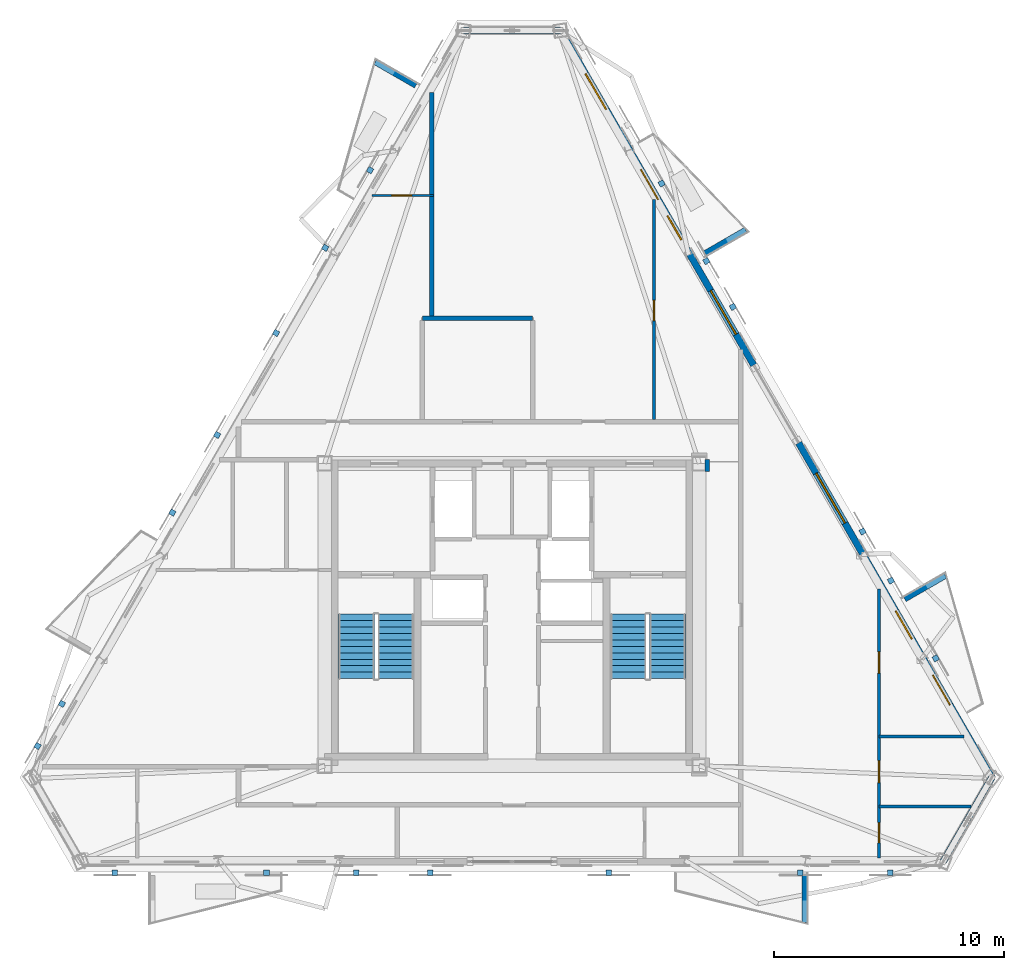
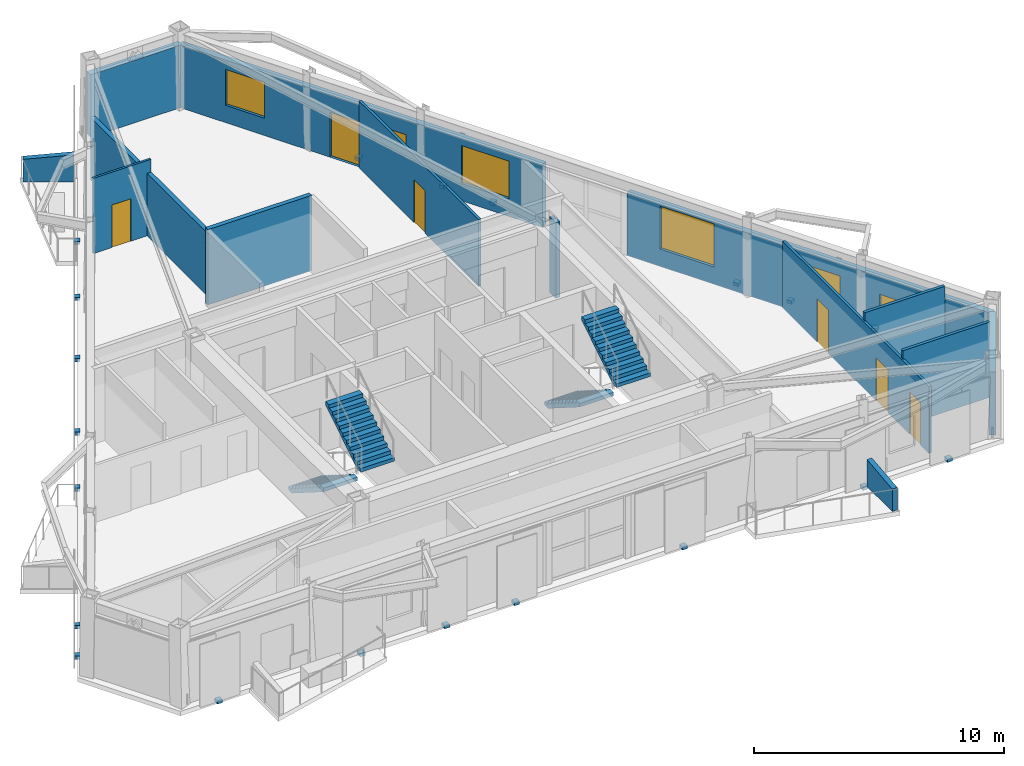
# One storey, part 10 of 15: 20 discrete accessories, 16 walls, 7 doors, 5 windows, 4 stair flights, 12 openings, 2 elements without a shape of their own.
"""IFC4 building model written with IfcOpenShell, lengths in metres."""

from ifc_helpers import new_model, si_unit, direction, frame, frame_2d, origin, origin_2d, place, context, subcontext, project, spatial, polyline, rectangle, outline, extrude, material, layer, layer_set, type_object, element, fill, aggregate, save


model = new_model("IFC4")

# Units and contexts
model_context = context("Model", 3, precision=1e-05, world=origin(), true_north=direction((0.0, 1.0)))
body_context = subcontext(model_context, "Body", "Model", "MODEL_VIEW")
ifc_project = project(units=[si_unit("LENGTHUNIT", "METRE"), si_unit("AREAUNIT", "SQUARE_METRE"), si_unit("VOLUMEUNIT", "CUBIC_METRE"), si_unit("PLANEANGLEUNIT", "RADIAN"), si_unit("MASSUNIT", "GRAM", prefix="KILO")], contexts=[model_context])

# Site, building, storey
site_placement = place(None, origin())
site = spatial("IfcSite", under=ifc_project, at=site_placement, CompositionType="ELEMENT")
building_placement = place(site_placement, origin())
building = spatial("IfcBuilding", under=site, at=building_placement, Name="Oramaril Tower", CompositionType="ELEMENT")
storey_placement = place(building_placement, frame((0.0, 0.0, 288.89990234375)))
storey = spatial("IfcBuildingStorey", under=building, at=storey_placement, Name="L76", CompositionType="ELEMENT", Elevation=288.89990234375)

# Wall
ifc_material_1 = material(Name="Warm Cream Limestone", Category="masonry")
ifc_layer_1 = layer(ifc_material_1, 0.2900390625)
ifc_layer_set_1 = layer_set([ifc_layer_1], Name="WT-EXT29")
wall_type_1 = type_object("IfcWallType", Name="WT-EXT29", PredefinedType="SOLIDWALL", material=ifc_layer_set_1)
wall_1_placement = place(storey_placement, frame((56.262939453125, 6.827392578125, 0.0), z_axis=(0.0, 0.0, 1.0), x_axis=(0.499954162615, 0.866051866393, 0.0)))
element("IfcWall", 1, at=wall_1_placement, inside=storey, type_object=wall_type_1, Name="L76 Tower Limestone Facade Wall 3M", PredefinedType="SOLIDWALL", context=body_context, shape_type="SweptSolid", body=[
    extrude(rectangle(XDim=4.22607421875, YDim=0.2900390625, at=frame_2d((2.113037109375, 0.0))), origin(), (0.0, 0.0, 1.0), 3.05810546875),
])

# Wall, openings, door, windows
wall_2_placement = place(storey_placement, frame((58.375732421875, 10.4873046875, 0.0), z_axis=(0.0, 0.0, 1.0), x_axis=(-0.499993544909, 0.866029130601, 0.0)))
wall_2 = element("IfcWall", 2, at=wall_2_placement, inside=storey, type_object=wall_type_1, Name="L76 Tower Limestone Facade Wall 4L", PredefinedType="SOLIDWALL", context=body_context, shape_type="SweptSolid", body=[
    extrude(rectangle(XDim=16.812744140625, YDim=0.2900390625, at=frame_2d((8.40625, 0.0))), origin(), (0.0, 0.0, 1.0), 3.05810546875),
])
opening_1_placement = place(wall_2_placement, frame((3.639404296875, 0.0, 0.0)))
opening_1 = element("IfcOpeningElement", 3, at=opening_1_placement, cuts=wall_2, Name="Opening D-L76-BAL-NE1", PredefinedType="OPENING", context=body_context, shape_type="SweptSolid", body=[
    extrude(rectangle(XDim=1.5, YDim=2.199951171875, at=frame_2d((0.75, 1.10009765625))), frame((0.0, 0.14501953125, 0.0), z_axis=(0.0, -1.0, 0.0), x_axis=(1.0, 0.0, 0.0)), (0.0, 0.0, 1.0), 0.2900390625),
])
opening_2_placement = place(wall_2_placement, frame((6.9609375, 0.0, 0.85009765625)))
opening_2 = element("IfcOpeningElement", 4, at=opening_2_placement, cuts=wall_2, Name="Opening WN-08", PredefinedType="OPENING", context=body_context, shape_type="SweptSolid", body=[
    extrude(rectangle(XDim=1.39990234375, YDim=1.60009765625, at=frame_2d((0.699951171875, 0.800048828125))), frame((0.0, 0.14501953125, 0.0), z_axis=(0.0, -1.0, 0.0), x_axis=(1.0, 0.0, 0.0)), (0.0, 0.0, 1.0), 0.2900390625),
])
opening_3_placement = place(wall_2_placement, frame((12.78076171875, 0.0, 0.85009765625)))
opening_3 = element("IfcOpeningElement", 5, at=opening_3_placement, cuts=wall_2, Name="Opening WN-11", PredefinedType="OPENING", context=body_context, shape_type="SweptSolid", body=[
    extrude(rectangle(XDim=2.5, YDim=2.097900390625, at=frame_2d((1.25, 1.048828125))), frame((0.0, 0.14501953125, 0.0), z_axis=(0.0, -1.0, 0.0), x_axis=(1.0, 0.0, 0.0)), (0.0, 0.0, 1.0), 0.2900390625),
])
ifc_material_2 = material(Name="Anodised Aluminium 6063-T6", Category="aluminium")
door_type_1 = type_object("IfcDoorType", Name="DT-BAL", OperationType="NOTDEFINED", PredefinedType="DOOR", material=ifc_material_2)
door_1_placement = place(opening_1_placement, origin())
door_1 = element("IfcDoor", 6, at=door_1_placement, inside=storey, type_object=door_type_1, Name="L76 Balcony Glazed Door L76-BAL-NE1", OperationType="SINGLE_SWING_LEFT", OverallHeight=2.199951171875, OverallWidth=1.5, PredefinedType="DOOR", context=body_context, shape_type="SweptSolid", body=[
    extrude(rectangle(XDim=1.5, YDim=2.199951171875, at=frame_2d((0.75, 1.10009765625))), frame((0.0, 0.02490234375, 0.0), z_axis=(0.0, -1.0, 0.0), x_axis=(1.0, 0.0, 0.0)), (0.0, 0.0, 1.0), 0.050048828125),
])
fill(opening_1, door_1)
ifc_material_3 = material(Name="Coastal Low-E Insulated Glass", Category="glass")
window_type_1 = type_object("IfcWindowType", Name="WNT-08", PartitioningType="SINGLE_PANEL", PredefinedType="WINDOW", material=ifc_material_3)
window_1_placement = place(opening_2_placement, origin())
window_1 = element("IfcWindow", 7, at=window_1_placement, inside=storey, type_object=window_type_1, Name="L76 Chicago Bay Window WN-08", OverallHeight=1.60009765625, OverallWidth=1.39990234375, PartitioningType="SINGLE_PANEL", PredefinedType="WINDOW", context=body_context, shape_type="SweptSolid", body=[
    extrude(rectangle(XDim=1.39990234375, YDim=1.60009765625, at=frame_2d((0.699951171875, 0.800048828125))), frame((0.0, 0.030029296875, 0.0), z_axis=(0.0, -1.0, 0.0), x_axis=(1.0, 0.0, 0.0)), (0.0, 0.0, 1.0), 0.06005859375),
])
fill(opening_2, window_1)
ifc_material_4 = material(Name="Coastal Low-E Insulated Glass", Category="glass")
window_type_2 = type_object("IfcWindowType", Name="WNT-11", PartitioningType="SINGLE_PANEL", PredefinedType="WINDOW", material=ifc_material_4)
window_2_placement = place(opening_3_placement, origin())
window_2 = element("IfcWindow", 8, at=window_2_placement, inside=storey, type_object=window_type_2, Name="L76 Chicago Bay Window WN-11", OverallHeight=2.097900390625, OverallWidth=2.5, PartitioningType="SINGLE_PANEL", PredefinedType="WINDOW", context=body_context, shape_type="SweptSolid", body=[
    extrude(rectangle(XDim=2.5, YDim=2.097900390625, at=frame_2d((1.25, 1.048828125))), frame((0.0, 0.030029296875, 0.0), z_axis=(0.0, -1.0, 0.0), x_axis=(1.0, 0.0, 0.0)), (0.0, 0.0, 1.0), 0.06005859375),
])
fill(opening_3, window_2)

wall_3_placement = place(storey_placement, frame((48.019287109375, 28.425048828125, 0.0), z_axis=(0.0, 0.0, 1.0), x_axis=(-0.49998725717, 0.866032760736, 0.0)))
wall_3 = element("IfcWall", 9, at=wall_3_placement, inside=storey, type_object=wall_type_1, Name="L76 Tower Limestone Facade Wall 4R", PredefinedType="SOLIDWALL", context=body_context, shape_type="SweptSolid", body=[
    extrude(rectangle(XDim=16.81298828125, YDim=0.2900390625, at=frame_2d((8.406494140625, 0.0))), origin(), (0.0, 0.0, 1.0), 3.05810546875),
])
opening_4_placement = place(wall_3_placement, frame((8.328369140625, 0.0, 0.0)))
opening_4 = element("IfcOpeningElement", 10, at=opening_4_placement, cuts=wall_3, Name="Opening D-L76-BAL-NE2", PredefinedType="OPENING", context=body_context, shape_type="SweptSolid", body=[
    extrude(rectangle(XDim=1.5, YDim=2.199951171875, at=frame_2d((0.75, 1.10009765625))), frame((0.0, 0.14501953125, 0.0), z_axis=(0.0, -1.0, 0.0), x_axis=(1.0, 0.0, 0.0)), (0.0, 0.0, 1.0), 0.2900390625),
])
opening_5_placement = place(wall_3_placement, frame((6.303466796875, 0.0, 0.85009765625)))
opening_5 = element("IfcOpeningElement", 11, at=opening_5_placement, cuts=wall_3, Name="Opening WN-09", PredefinedType="OPENING", context=body_context, shape_type="SweptSolid", body=[
    extrude(rectangle(XDim=1.199951171875, YDim=1.47998046875, at=frame_2d((0.60009765625, 0.739990234375))), frame((0.0, 0.14501953125, 0.0), z_axis=(0.0, -1.0, 0.0), x_axis=(1.0, 0.0, 0.0)), (0.0, 0.0, 1.0), 0.2900390625),
])
opening_6_placement = place(wall_3_placement, frame((12.846435546875, 0.0, 0.85009765625)))
opening_6 = element("IfcOpeningElement", 12, at=opening_6_placement, cuts=wall_3, Name="Opening WN-06", PredefinedType="OPENING", context=body_context, shape_type="SweptSolid", body=[
    extrude(rectangle(XDim=1.800048828125, YDim=1.75, at=frame_2d((0.89990234375, 0.875))), frame((0.0, 0.14501953125, 0.0), z_axis=(0.0, -1.0, 0.0), x_axis=(1.0, 0.0, 0.0)), (0.0, 0.0, 1.0), 0.2900390625),
])
opening_7_placement = place(wall_3_placement, frame((1.552001953125, 0.0, 0.85009765625)))
opening_7 = element("IfcOpeningElement", 13, at=opening_7_placement, cuts=wall_3, Name="Opening WN-04", PredefinedType="OPENING", context=body_context, shape_type="SweptSolid", body=[
    extrude(rectangle(XDim=2.199951171875, YDim=1.85009765625, at=frame_2d((1.10009765625, 0.925048828125))), frame((0.0, 0.14501953125, 0.0), z_axis=(0.0, -1.0, 0.0), x_axis=(1.0, 0.0, 0.0)), (0.0, 0.0, 1.0), 0.2900390625),
])
door_2_placement = place(opening_4_placement, origin())
door_2 = element("IfcDoor", 14, at=door_2_placement, inside=storey, type_object=door_type_1, Name="L76 Balcony Glazed Door L76-BAL-NE2", OperationType="SINGLE_SWING_RIGHT", OverallHeight=2.199951171875, OverallWidth=1.5, PredefinedType="DOOR", context=body_context, shape_type="SweptSolid", body=[
    extrude(rectangle(XDim=1.5, YDim=2.199951171875, at=frame_2d((0.75, 1.10009765625))), frame((0.0, 0.02490234375, 0.0), z_axis=(0.0, -1.0, 0.0), x_axis=(1.0, 0.0, 0.0)), (0.0, 0.0, 1.0), 0.050048828125),
])
fill(opening_4, door_2)
ifc_material_5 = material(Name="Coastal Low-E Insulated Glass", Category="glass")
window_type_3 = type_object("IfcWindowType", Name="WNT-04", PartitioningType="SINGLE_PANEL", PredefinedType="WINDOW", material=ifc_material_5)
window_3_placement = place(opening_7_placement, origin())
window_3 = element("IfcWindow", 15, at=window_3_placement, inside=storey, type_object=window_type_3, Name="L76 Chicago Bay Window WN-04", OverallHeight=1.85009765625, OverallWidth=2.199951171875, PartitioningType="SINGLE_PANEL", PredefinedType="WINDOW", context=body_context, shape_type="SweptSolid", body=[
    extrude(rectangle(XDim=2.199951171875, YDim=1.85009765625, at=frame_2d((1.10009765625, 0.925048828125))), frame((0.0, 0.030029296875, 0.0), z_axis=(0.0, -1.0, 0.0), x_axis=(1.0, 0.0, 0.0)), (0.0, 0.0, 1.0), 0.06005859375),
])
fill(opening_7, window_3)
ifc_material_6 = material(Name="Coastal Low-E Insulated Glass", Category="glass")
window_type_4 = type_object("IfcWindowType", Name="WNT-06", PartitioningType="SINGLE_PANEL", PredefinedType="WINDOW", material=ifc_material_6)
window_4_placement = place(opening_6_placement, origin())
window_4 = element("IfcWindow", 16, at=window_4_placement, inside=storey, type_object=window_type_4, Name="L76 Chicago Bay Window WN-06", OverallHeight=1.75, OverallWidth=1.800048828125, PartitioningType="SINGLE_PANEL", PredefinedType="WINDOW", context=body_context, shape_type="SweptSolid", body=[
    extrude(rectangle(XDim=1.800048828125, YDim=1.75, at=frame_2d((0.89990234375, 0.875))), frame((0.0, 0.030029296875, 0.0), z_axis=(0.0, -1.0, 0.0), x_axis=(1.0, 0.0, 0.0)), (0.0, 0.0, 1.0), 0.06005859375),
])
fill(opening_6, window_4)
ifc_material_7 = material(Name="Coastal Low-E Insulated Glass", Category="glass")
window_type_5 = type_object("IfcWindowType", Name="WNT-09", PartitioningType="SINGLE_PANEL", PredefinedType="WINDOW", material=ifc_material_7)
window_5_placement = place(opening_5_placement, origin())
window_5 = element("IfcWindow", 17, at=window_5_placement, inside=storey, type_object=window_type_5, Name="L76 Chicago Bay Window WN-09", OverallHeight=1.47998046875, OverallWidth=1.199951171875, PartitioningType="SINGLE_PANEL", PredefinedType="WINDOW", context=body_context, shape_type="SweptSolid", body=[
    extrude(rectangle(XDim=1.199951171875, YDim=1.47998046875, at=frame_2d((0.60009765625, 0.739990234375))), frame((0.0, 0.030029296875, 0.0), z_axis=(0.0, -1.0, 0.0), x_axis=(1.0, 0.0, 0.0)), (0.0, 0.0, 1.0), 0.06005859375),
])
fill(opening_5, window_5)

# Walls
wall_4_placement = place(storey_placement, frame((39.613037109375, 42.985595703125, 0.0), z_axis=(0.0, 0.0, 1.0), x_axis=(-1.0, 0.0, 0.0)))
element("IfcWall", 18, at=wall_4_placement, inside=storey, type_object=wall_type_1, Name="L76 Tower Limestone Facade Wall 5M", PredefinedType="SOLIDWALL", context=body_context, shape_type="SweptSolid", body=[
    extrude(rectangle(XDim=4.22607421875, YDim=0.2900390625, at=frame_2d((2.113037109375, 0.0))), origin(), (0.0, 0.0, 1.0), 3.05810546875),
])
ifc_material_8 = material(Name="Concrete C40/50", Category="concrete")
ifc_layer_2 = layer(ifc_material_8, 0.22998046875)
ifc_layer_set_2 = layer_set([ifc_layer_2], Name="WT-PRP23")
wall_type_2 = type_object("IfcWallType", Name="WT-PRP23", PredefinedType="PARAPET", material=ifc_layer_set_2)
for number, where, z_axis, x_axis, name in (
    (19, (50.223388671875, 6.2294921875, 0.0), (0.0, 0.0, 1.0), (0.0, -1.0, 0.0), "L76 Trapezoidal Balcony Frame Cheek L76-BAL-S2-R"),
    (20, (54.591552734375, 18.23779296875, 0.0), (0.0, 0.0, 1.0), (0.866012356593, 0.500022597718, 0.0), "L76 Trapezoidal Balcony Frame Cheek L76-BAL-NE1-R"),
    (21, (45.8955078125, 33.2998046875, 0.0), (0.0, 0.0, 1.0), (0.866042246008, 0.499970827278, 0.0), "L76 Trapezoidal Balcony Frame Cheek L76-BAL-NE2-L"),
    (22, (33.31201171875, 40.58740234375, 0.0), (0.0, 0.0, 1.0), (-0.866042246008, 0.499970827278, 0.0), "L76 Trapezoidal Balcony Frame Cheek L76-BAL-NW1-L"),
):
    element("IfcWall", number, at=place(storey_placement, frame(where, z_axis=z_axis, x_axis=x_axis)), inside=storey, type_object=wall_type_2, Name=name, PredefinedType="PARAPET", context=body_context, shape_type="SweptSolid", body=[
        extrude(outline(polyline([(0.0, 0.0), (2.0419921875, 0.0), (2.0419921875, 1.10009765625), (0.0, 1.320068359375), (0.0, 0.0)])), frame((0.0, 0.114990234375, 0.0), z_axis=(0.0, -1.0, 0.0), x_axis=(1.0, 0.0, 0.0)), (0.0, 0.0, 1.0), 0.22998046875),
    ])

# Wall, opening, door
ifc_material_9 = material(Name="Acoustic Gypsum Board Partition")
ifc_layer_3 = layer(ifc_material_9, 0.10009765625)
ifc_layer_set_3 = layer_set([ifc_layer_3], Name="WT-PT10")
wall_type_3 = type_object("IfcWallType", Name="WT-PT10", PredefinedType="PARTITIONING", material=ifc_layer_set_3)
wall_5_placement = place(storey_placement, frame((31.416259765625, 35.81005859375, 0.0), z_axis=(0.0, 0.0, 1.0), x_axis=(1.0, 0.0, 0.0)))
wall_5 = element("IfcWall", 23, at=wall_5_placement, inside=storey, type_object=wall_type_3, Name="L76 Interior Partition PT-10", PredefinedType="PARTITIONING", context=body_context, shape_type="SweptSolid", body=[
    extrude(rectangle(XDim=2.665771484375, YDim=0.10009765625, at=frame_2d((1.3330078125, 0.0))), origin(), (0.0, 0.0, 1.0), 3.68017578125),
])
opening_8_placement = place(wall_5_placement, frame((0.852783203125, 0.0, 0.0)))
opening_8 = element("IfcOpeningElement", 24, at=opening_8_placement, cuts=wall_5, Name="Opening D-L76-10", PredefinedType="OPENING", context=body_context, shape_type="SweptSolid", body=[
    extrude(rectangle(XDim=0.8798828125, YDim=2.080078125, at=frame_2d((0.43994140625, 1.0400390625))), frame((0.0, 0.050048828125, 0.0), z_axis=(0.0, -1.0, 0.0), x_axis=(1.0, 0.0, 0.0)), (0.0, 0.0, 1.0), 0.10009765625),
])
ifc_material_10 = material(Name="FSC Brazilian Freijo Hardwood", Category="wood")
door_type_2 = type_object("IfcDoorType", Name="DT-BATH", OperationType="NOTDEFINED", PredefinedType="DOOR", material=ifc_material_10)
door_3_placement = place(opening_8_placement, origin())
door_3 = element("IfcDoor", 25, at=door_3_placement, inside=storey, type_object=door_type_2, Name="L76 Flat L76-U5 Bathroom Door D-L76-10", OperationType="SINGLE_SWING_RIGHT", OverallHeight=2.080078125, OverallWidth=0.8798828125, PredefinedType="DOOR", context=body_context, shape_type="SweptSolid", body=[
    extrude(rectangle(XDim=0.8798828125, YDim=2.080078125, at=frame_2d((0.43994140625, 1.0400390625))), frame((0.0, 0.02490234375, 0.0), z_axis=(0.0, -1.0, 0.0), x_axis=(1.0, 0.0, 0.0)), (0.0, 0.0, 1.0), 0.050048828125),
])
fill(opening_8, door_3)

ifc_material_11 = material(Name="Acoustic Gypsum Board Partition")
ifc_layer_4 = layer(ifc_material_11, 0.1201171875)
ifc_layer_set_4 = layer_set([ifc_layer_4], Name="WT-PT12")
wall_type_4 = type_object("IfcWallType", Name="WT-PT12", PredefinedType="PARTITIONING", material=ifc_layer_set_4)
wall_6_placement = place(storey_placement, frame((43.679931640625, 26.073974609375, 0.0), z_axis=(0.0, 0.0, 1.0), x_axis=(0.0, 1.0, 0.0)))
wall_6 = element("IfcWall", 26, at=wall_6_placement, inside=storey, type_object=wall_type_4, Name="L76 Interior Partition PT-12", PredefinedType="PARTITIONING", context=body_context, shape_type="SweptSolid", body=[
    extrude(rectangle(XDim=9.5693359375, YDim=0.1201171875, at=frame_2d((4.78466796875, 0.0))), origin(), (0.0, 0.0, 1.0), 3.26611328125),
])
opening_9_placement = place(wall_6_placement, frame((4.290771484375, 0.0, 0.0)))
opening_9 = element("IfcOpeningElement", 27, at=opening_9_placement, cuts=wall_6, Name="Opening D-L76-13", PredefinedType="OPENING", context=body_context, shape_type="SweptSolid", body=[
    extrude(rectangle(XDim=0.8798828125, YDim=2.080078125, at=frame_2d((0.43994140625, 1.0400390625))), frame((0.0, 0.06005859375, 0.0), z_axis=(0.0, -1.0, 0.0), x_axis=(1.0, 0.0, 0.0)), (0.0, 0.0, 1.0), 0.1201171875),
])
door_4_placement = place(opening_9_placement, origin())
door_4 = element("IfcDoor", 28, at=door_4_placement, inside=storey, type_object=door_type_2, Name="L76 Flat L76-U6 Bathroom Door D-L76-13", OperationType="SINGLE_SWING_LEFT", OverallHeight=2.080078125, OverallWidth=0.8798828125, PredefinedType="DOOR", context=body_context, shape_type="SweptSolid", body=[
    extrude(rectangle(XDim=0.8798828125, YDim=2.080078125, at=frame_2d((0.43994140625, 1.0400390625))), frame((0.0, 0.02490234375, 0.0), z_axis=(0.0, -1.0, 0.0), x_axis=(1.0, 0.0, 0.0)), (0.0, 0.0, 1.0), 0.050048828125),
])
fill(opening_9, door_4)

# Wall, openings, doors
wall_7_placement = place(storey_placement, frame((53.469970703125, 6.976318359375, 0.0), z_axis=(0.0, 0.0, 1.0), x_axis=(0.0, 1.0, 0.0)))
wall_7 = element("IfcWall", 29, at=wall_7_placement, inside=storey, type_object=wall_type_4, Name="L76 Interior Partition PT-12", PredefinedType="PARTITIONING", context=body_context, shape_type="SweptSolid", body=[
    extrude(rectangle(XDim=11.7099609375, YDim=0.1201171875, at=frame_2d((5.85498046875, 0.0))), origin(), (0.0, 0.0, 1.0), 3.26611328125),
])
opening_10_placement = place(wall_7_placement, frame((0.666259765625, 0.0, 0.0)))
opening_10 = element("IfcOpeningElement", 30, at=opening_10_placement, cuts=wall_7, Name="Opening D-L76-15", PredefinedType="OPENING", context=body_context, shape_type="SweptSolid", body=[
    extrude(rectangle(XDim=0.8798828125, YDim=2.080078125, at=frame_2d((0.43994140625, 1.0400390625))), frame((0.0, 0.06005859375, 0.0), z_axis=(0.0, -1.0, 0.0), x_axis=(1.0, 0.0, 0.0)), (0.0, 0.0, 1.0), 0.1201171875),
])
opening_11_placement = place(wall_7_placement, frame((3.29150390625, 0.0, 0.0)))
opening_11 = element("IfcOpeningElement", 31, at=opening_11_placement, cuts=wall_7, Name="Opening D-L76-16", PredefinedType="OPENING", context=body_context, shape_type="SweptSolid", body=[
    extrude(rectangle(XDim=0.949951171875, YDim=2.10009765625, at=frame_2d((0.47509765625, 1.050048828125))), frame((0.0, 0.06005859375, 0.0), z_axis=(0.0, -1.0, 0.0), x_axis=(1.0, 0.0, 0.0)), (0.0, 0.0, 1.0), 0.1201171875),
])
opening_12_placement = place(wall_7_placement, frame((8.053466796875, 0.0, 0.0)))
opening_12 = element("IfcOpeningElement", 32, at=opening_12_placement, cuts=wall_7, Name="Opening D-L76-17", PredefinedType="OPENING", context=body_context, shape_type="SweptSolid", body=[
    extrude(rectangle(XDim=0.919921875, YDim=2.1201171875, at=frame_2d((0.4599609375, 1.06005859375))), frame((0.0, 0.06005859375, 0.0), z_axis=(0.0, -1.0, 0.0), x_axis=(1.0, 0.0, 0.0)), (0.0, 0.0, 1.0), 0.1201171875),
])
door_5_placement = place(opening_10_placement, origin())
door_5 = element("IfcDoor", 33, at=door_5_placement, inside=storey, type_object=door_type_2, Name="L76 Flat L76-U4 Bathroom Door D-L76-15", OperationType="SINGLE_SWING_LEFT", OverallHeight=2.080078125, OverallWidth=0.8798828125, PredefinedType="DOOR", context=body_context, shape_type="SweptSolid", body=[
    extrude(rectangle(XDim=0.8798828125, YDim=2.080078125, at=frame_2d((0.43994140625, 1.0400390625))), frame((0.0, 0.02490234375, 0.0), z_axis=(0.0, -1.0, 0.0), x_axis=(1.0, 0.0, 0.0)), (0.0, 0.0, 1.0), 0.050048828125),
])
fill(opening_10, door_5)
ifc_material_12 = material(Name="FSC Brazilian Freijo Hardwood", Category="wood")
door_type_3 = type_object("IfcDoorType", Name="DT-BED", OperationType="NOTDEFINED", PredefinedType="DOOR", material=ifc_material_12)
door_6_placement = place(opening_12_placement, origin())
door_6 = element("IfcDoor", 34, at=door_6_placement, inside=storey, type_object=door_type_3, Name="L76 Flat L76-U4 Master Bedroom Door D-L76-17", OperationType="SINGLE_SWING_LEFT", OverallHeight=2.1201171875, OverallWidth=0.919921875, PredefinedType="DOOR", context=body_context, shape_type="SweptSolid", body=[
    extrude(rectangle(XDim=0.919921875, YDim=2.1201171875, at=frame_2d((0.4599609375, 1.06005859375))), frame((0.0, 0.02490234375, 0.0), z_axis=(0.0, -1.0, 0.0), x_axis=(1.0, 0.0, 0.0)), (0.0, 0.0, 1.0), 0.050048828125),
])
fill(opening_12, door_6)
ifc_material_13 = material(Name="FSC Brazilian Freijo Hardwood", Category="wood")
door_type_4 = type_object("IfcDoorType", Name="DT-STDY", OperationType="NOTDEFINED", PredefinedType="DOOR", material=ifc_material_13)
door_7_placement = place(opening_11_placement, origin())
door_7 = element("IfcDoor", 35, at=door_7_placement, inside=storey, type_object=door_type_4, Name="L76 Flat L76-U4 Kitchen Door D-L76-16", OperationType="SINGLE_SWING_RIGHT", OverallHeight=2.10009765625, OverallWidth=0.949951171875, PredefinedType="DOOR", context=body_context, shape_type="SweptSolid", body=[
    extrude(rectangle(XDim=0.949951171875, YDim=2.10009765625, at=frame_2d((0.47509765625, 1.050048828125))), frame((0.0, 0.02490234375, 0.0), z_axis=(0.0, -1.0, 0.0), x_axis=(1.0, 0.0, 0.0)), (0.0, 0.0, 1.0), 0.050048828125),
])
fill(opening_11, door_7)

# Walls
ifc_material_14 = material(Name="Acoustic Gypsum Board Partition")
ifc_layer_5 = layer(ifc_material_14, 0.139892578125)
ifc_layer_set_5 = layer_set([ifc_layer_5], Name="WT-PT14")
wall_type_5 = type_object("IfcWallType", Name="WT-PT14", PredefinedType="PARTITIONING", material=ifc_layer_set_5)
wall_8_placement = place(storey_placement, frame((53.471435546875, 9.219970703125, 0.0), z_axis=(0.0, 0.0, 1.0), x_axis=(1.0, 0.0, 0.0)))
element("IfcWall", 36, at=wall_8_placement, inside=storey, type_object=wall_type_5, Name="L76 Interior Partition PT-14", PredefinedType="PARTITIONING", context=body_context, shape_type="SweptSolid", body=[
    extrude(rectangle(XDim=4.000732421875, YDim=0.139892578125, at=frame_2d((2.00048828125, 0.0))), origin(), (0.0, 0.0, 1.0), 3.68017578125),
])
wall_9_placement = place(storey_placement, frame((53.471435546875, 12.27001953125, 0.0), z_axis=(0.0, 0.0, 1.0), x_axis=(1.0, 0.0, 0.0)))
element("IfcWall", 37, at=wall_9_placement, inside=storey, type_object=wall_type_5, Name="L76 Interior Partition PT-14", PredefinedType="PARTITIONING", context=body_context, shape_type="SweptSolid", body=[
    extrude(rectangle(XDim=3.703125, YDim=0.139892578125, at=frame_2d((1.8515625, 0.0))), origin(), (0.0, 0.0, 1.0), 3.68017578125),
])
ifc_material_15 = material(Name="Autoclaved Cellular Concrete Block", Category="concrete")
ifc_layer_6 = layer(ifc_material_15, 0.199951171875)
ifc_layer_set_6 = layer_set([ifc_layer_6], Name="WT-PT20")
wall_type_6 = type_object("IfcWallType", Name="WT-PT20", PredefinedType="PARTITIONING", material=ifc_layer_set_6)
wall_10_placement = place(storey_placement, frame((33.60009765625, 30.469970703125, 0.0), z_axis=(0.0, 0.0, 1.0), x_axis=(1.0, 0.0, 0.0)))
element("IfcWall", 38, at=wall_10_placement, inside=storey, type_object=wall_type_6, Name="L76 Interior Partition PT-20", PredefinedType="PARTITIONING", context=body_context, shape_type="SweptSolid", body=[
    extrude(rectangle(XDim=4.7998046875, YDim=0.199951171875, at=frame_2d((2.39990234375, 0.0))), origin(), (0.0, 0.0, 1.0), 3.68017578125),
])
wall_11_placement = place(storey_placement, frame((34.0, 30.573974609375, 0.0), z_axis=(0.0, 0.0, 1.0), x_axis=(0.0, 1.0, 0.0)))
element("IfcWall", 39, at=wall_11_placement, inside=storey, type_object=wall_type_6, Name="L76 Interior Partition PT-20", PredefinedType="PARTITIONING", context=body_context, shape_type="SweptSolid", body=[
    extrude(rectangle(XDim=9.711181640625, YDim=0.199951171875, at=frame_2d((4.85546875, 0.0))), origin(), (0.0, 0.0, 1.0), 3.05810546875),
])
wall_12_placement = place(storey_placement, frame((45.989990234375, 23.81005859375, 0.0), z_axis=(0.0, 0.0, 1.0), x_axis=(0.0, 1.0, 0.0)))
element("IfcWall", 40, at=wall_12_placement, inside=storey, type_object=wall_type_6, Name="L76 Interior Partition PT-20", PredefinedType="PARTITIONING", context=body_context, shape_type="SweptSolid", body=[
    extrude(rectangle(XDim=0.510009765625, YDim=0.199951171875, at=frame_2d((0.2548828125, 0.0))), origin(), (0.0, 0.0, 1.0), 3.68017578125),
])

# Stair, stair flights
ifc_material_16 = material(Name="Concrete C50/60", Category="concrete")
stair_type = type_object("IfcStairType", Name="STT-DG-3900", PredefinedType="HALF_TURN_STAIR", material=ifc_material_16)
stair_1_placement = place(storey_placement, origin())
stair_1 = element("IfcStair", 41, at=stair_1_placement, inside=storey, type_object=stair_type, Name="L76 Protected PFP Exit Stair ST-1", PredefinedType="HALF_TURN_STAIR")
ifc_material_17 = material(Name="Concrete C50/60", Category="concrete")
stair_flight_type = type_object("IfcStairFlightType", Name="SFT-DG-3900", PredefinedType="STRAIGHT", material=ifc_material_17)
stair_flight_1_placement = place(storey_placement, frame((30.72998046875, 17.590087890625, 0.0), z_axis=(0.0, 0.0, 1.0), x_axis=(0.0, -1.0, 0.0)))
stair_flight_1 = element("IfcStairFlight", 42, at=stair_flight_1_placement, type_object=stair_flight_type, Name="ST-1 flight 1", NumberOfRisers=11, NumberOfTreads=10, PredefinedType="STRAIGHT", RiserHeight=0.177272727, TreadLength=0.28, context=body_context, shape_type="SweptSolid", body=[
    extrude(outline(polyline([(0.0, 0.0), (0.0, 0.17724609375), (0.280029296875, 0.17724609375), (0.280029296875, 0.3544921875), (0.56005859375, 0.3544921875), (0.56005859375, 0.53173828125), (0.840087890625, 0.53173828125), (0.840087890625, 0.708984375), (1.1201171875, 0.708984375), (1.1201171875, 0.886474609375), (1.39990234375, 0.886474609375), (1.39990234375, 1.063720703125), (1.679931640625, 1.063720703125), (1.679931640625, 1.240966796875), (1.9599609375, 1.240966796875), (1.9599609375, 1.418212890625), (2.239990234375, 1.418212890625), (2.239990234375, 1.595458984375), (2.52001953125, 1.595458984375), (2.52001953125, 1.772705078125), (2.800048828125, 1.772705078125), (2.800048828125, 1.949951171875), (2.800048828125, 1.59521484375), (0.2802734375, 0.0), (0.0, 0.0)])), frame((0.0, 0.780029296875, 0.0), z_axis=(0.0, -1.0, 0.0), x_axis=(1.0, 0.0, 0.0)), (0.0, 0.0, 1.0), 1.56005859375),
])
stair_flight_2_placement = place(storey_placement, frame((32.43994140625, 14.7900390625, 1.9501953125), z_axis=(0.0, 0.0, 1.0), x_axis=(0.0, 1.0, 0.0)))
stair_flight_2 = element("IfcStairFlight", 43, at=stair_flight_2_placement, type_object=stair_flight_type, Name="ST-1 flight 2", NumberOfRisers=11, NumberOfTreads=10, PredefinedType="STRAIGHT", RiserHeight=0.177272727, TreadLength=0.28, context=body_context, shape_type="SweptSolid", body=[
    extrude(outline(polyline([(0.0, 0.0), (0.0, 0.17724609375), (0.280029296875, 0.17724609375), (0.280029296875, 0.3544921875), (0.56005859375, 0.3544921875), (0.56005859375, 0.53173828125), (0.840087890625, 0.53173828125), (0.840087890625, 0.708984375), (1.1201171875, 0.708984375), (1.1201171875, 0.886474609375), (1.39990234375, 0.886474609375), (1.39990234375, 1.063720703125), (1.679931640625, 1.063720703125), (1.679931640625, 1.240966796875), (1.9599609375, 1.240966796875), (1.9599609375, 1.418212890625), (2.239990234375, 1.418212890625), (2.239990234375, 1.595458984375), (2.52001953125, 1.595458984375), (2.52001953125, 1.772705078125), (2.800048828125, 1.772705078125), (2.800048828125, 1.949951171875), (2.800048828125, 1.59521484375), (0.2802734375, 0.0), (0.0, 0.0)])), frame((0.0, 0.780029296875, 0.0), z_axis=(0.0, -1.0, 0.0), x_axis=(1.0, 0.0, 0.0)), (0.0, 0.0, 1.0), 1.56005859375),
])
aggregate(stair_1, [stair_flight_1, stair_flight_2])

stair_2_placement = place(storey_placement, origin())
stair_2 = element("IfcStair", 44, at=stair_2_placement, inside=storey, type_object=stair_type, Name="L76 Protected PFP Exit Stair ST-2", PredefinedType="HALF_TURN_STAIR")
stair_flight_3_placement = place(storey_placement, frame((42.56005859375, 17.590087890625, 0.0), z_axis=(0.0, 0.0, 1.0), x_axis=(0.0, -1.0, 0.0)))
stair_flight_3 = element("IfcStairFlight", 45, at=stair_flight_3_placement, type_object=stair_flight_type, Name="ST-2 flight 1", NumberOfRisers=11, NumberOfTreads=10, PredefinedType="STRAIGHT", RiserHeight=0.177272727, TreadLength=0.28, context=body_context, shape_type="SweptSolid", body=[
    extrude(outline(polyline([(0.0, 0.0), (0.0, 0.17724609375), (0.280029296875, 0.17724609375), (0.280029296875, 0.3544921875), (0.56005859375, 0.3544921875), (0.56005859375, 0.53173828125), (0.840087890625, 0.53173828125), (0.840087890625, 0.708984375), (1.1201171875, 0.708984375), (1.1201171875, 0.886474609375), (1.39990234375, 0.886474609375), (1.39990234375, 1.063720703125), (1.679931640625, 1.063720703125), (1.679931640625, 1.240966796875), (1.9599609375, 1.240966796875), (1.9599609375, 1.418212890625), (2.239990234375, 1.418212890625), (2.239990234375, 1.595458984375), (2.52001953125, 1.595458984375), (2.52001953125, 1.772705078125), (2.800048828125, 1.772705078125), (2.800048828125, 1.949951171875), (2.800048828125, 1.59521484375), (0.2802734375, 0.0), (0.0, 0.0)])), frame((0.0, 0.780029296875, 0.0), z_axis=(0.0, -1.0, 0.0), x_axis=(1.0, 0.0, 0.0)), (0.0, 0.0, 1.0), 1.56005859375),
])
stair_flight_4_placement = place(storey_placement, frame((44.27001953125, 14.7900390625, 1.9501953125), z_axis=(0.0, 0.0, 1.0), x_axis=(0.0, 1.0, 0.0)))
stair_flight_4 = element("IfcStairFlight", 46, at=stair_flight_4_placement, type_object=stair_flight_type, Name="ST-2 flight 2", NumberOfRisers=11, NumberOfTreads=10, PredefinedType="STRAIGHT", RiserHeight=0.177272727, TreadLength=0.28, context=body_context, shape_type="SweptSolid", body=[
    extrude(outline(polyline([(0.0, 0.0), (0.0, 0.17724609375), (0.280029296875, 0.17724609375), (0.280029296875, 0.3544921875), (0.56005859375, 0.3544921875), (0.56005859375, 0.53173828125), (0.840087890625, 0.53173828125), (0.840087890625, 0.708984375), (1.1201171875, 0.708984375), (1.1201171875, 0.886474609375), (1.39990234375, 0.886474609375), (1.39990234375, 1.063720703125), (1.679931640625, 1.063720703125), (1.679931640625, 1.240966796875), (1.9599609375, 1.240966796875), (1.9599609375, 1.418212890625), (2.239990234375, 1.418212890625), (2.239990234375, 1.595458984375), (2.52001953125, 1.595458984375), (2.52001953125, 1.772705078125), (2.800048828125, 1.772705078125), (2.800048828125, 1.949951171875), (2.800048828125, 1.59521484375), (0.2802734375, 0.0), (0.0, 0.0)])), frame((0.0, 0.780029296875, 0.0), z_axis=(0.0, -1.0, 0.0), x_axis=(1.0, 0.0, 0.0)), (0.0, 0.0, 1.0), 1.56005859375),
])
aggregate(stair_2, [stair_flight_3, stair_flight_4])

# Discrete accessories
for number, where, z_axis, x_axis, name in (
    (47, (26.818115234375, 6.347412109375, -0.1396484375), (0.0, 0.0, 1.0), (1.0, 0.0, 0.0), "L76 Solar Screen Slab Bracket"),
    (48, (30.718017578125, 6.347412109375, -0.1396484375), (0.0, 0.0, 1.0), (1.0, 0.0, 0.0), "L76 Solar Screen Slab Bracket"),
    (49, (20.218994140625, 6.347412109375, -0.1396484375), (0.0, 0.0, 1.0), (1.0, 0.0, 0.0), "L76 Solar Screen Slab Bracket"),
    (50, (33.94970703125, 6.347412109375, -0.1396484375), (0.0, 0.0, 1.0), (1.0, 0.0, 0.0), "L76 Solar Screen Slab Bracket"),
    (51, (41.7041015625, 6.347412109375, -0.1396484375), (0.0, 0.0, 1.0), (1.0, 0.0, 0.0), "L76 Solar Screen Slab Bracket"),
    (52, (50.051513671875, 6.347412109375, -0.1396484375), (0.0, 0.0, 1.0), (1.0, 0.0, 0.0), "L76 Solar Screen Slab Bracket"),
    (53, (53.951416015625, 6.347412109375, -0.1396484375), (0.0, 0.0, 1.0), (1.0, 0.0, 0.0), "L76 Solar Screen Slab Bracket"),
    (54, (55.93603515625, 15.673095703125, -0.1396484375), (0.0, 0.0, 1.0), (-0.499996976998, 0.866027149108, 0.0), "L76 Solar Screen Slab Bracket"),
    (55, (53.986083984375, 19.050537109375, -0.1396484375), (0.0, 0.0, 1.0), (-0.499996976998, 0.866027149108, 0.0), "L76 Solar Screen Slab Bracket"),
    (56, (52.751220703125, 21.189453125, -0.1396484375), (0.0, 0.0, 1.0), (-0.499996976998, 0.866027149108, 0.0), "L76 Solar Screen Slab Bracket"),
    (57, (45.95849609375, 32.954833984375, -0.1396484375), (0.0, 0.0, 1.0), (-0.499996976998, 0.866027149108, 0.0), "L76 Solar Screen Slab Bracket"),
    (58, (44.00830078125, 36.33251953125, -0.1396484375), (0.0, 0.0, 1.0), (-0.499996976998, 0.866027149108, 0.0), "L76 Solar Screen Slab Bracket"),
    (59, (47.10888671875, 30.9619140625, -0.1396484375), (0.0, 0.0, 1.0), (-0.499996976998, 0.866027149108, 0.0), "L76 Solar Screen Slab Bracket"),
    (60, (17.919189453125, 13.690185546875, -0.1396484375), (0.0, 0.0, 1.0), (-0.4999984885, -0.866026276448, 0.0), "L76 Solar Screen Slab Bracket"),
    (61, (16.859375, 11.8544921875, -0.1396484375), (0.0, 0.0, 1.0), (-0.4999984885, -0.866026276448, 0.0), "L76 Solar Screen Slab Bracket"),
    (62, (24.67333984375, 25.388916015625, -0.1396484375), (0.0, 0.0, 1.0), (-0.4999984885, -0.866026276448, 0.0), "L76 Solar Screen Slab Bracket"),
    (63, (22.723388671875, 22.01123046875, -0.1396484375), (0.0, 0.0, 1.0), (-0.4999984885, -0.866026276448, 0.0), "L76 Solar Screen Slab Bracket"),
    (64, (31.3251953125, 36.910400390625, -0.1396484375), (0.0, 0.0, 1.0), (-0.4999984885, -0.866026276448, 0.0), "L76 Solar Screen Slab Bracket"),
    (65, (29.375244140625, 33.532958984375, -0.1396484375), (0.0, 0.0, 1.0), (-0.4999984885, -0.866026276448, 0.0), "L76 Solar Screen Slab Bracket"),
    (66, (27.235107421875, 29.82568359375, -0.1396484375), (0.0, 0.0, 1.0), (-0.4999984885, -0.866026276448, 0.0), "L76 Solar Screen Slab Bracket"),
):
    element("IfcDiscreteAccessory", number, at=place(storey_placement, frame(where, z_axis=z_axis, x_axis=x_axis)), inside=storey, Name=name, PredefinedType="BRACKET", context=body_context, shape_type="SweptSolid", body=[
        extrude(rectangle(XDim=0.239990234375, YDim=0.239990234375, at=origin_2d()), origin(), (0.0, 0.0, 1.0), 0.159912109375),
    ])

save(model, "model.ifc")
